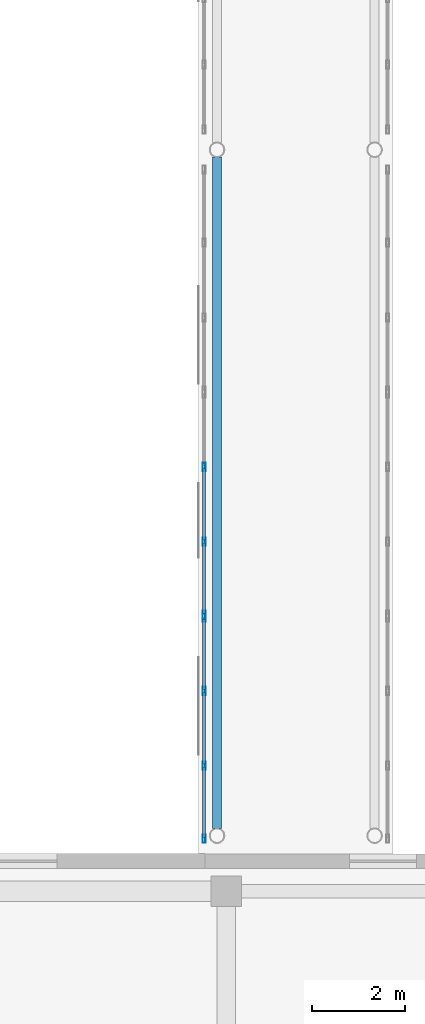
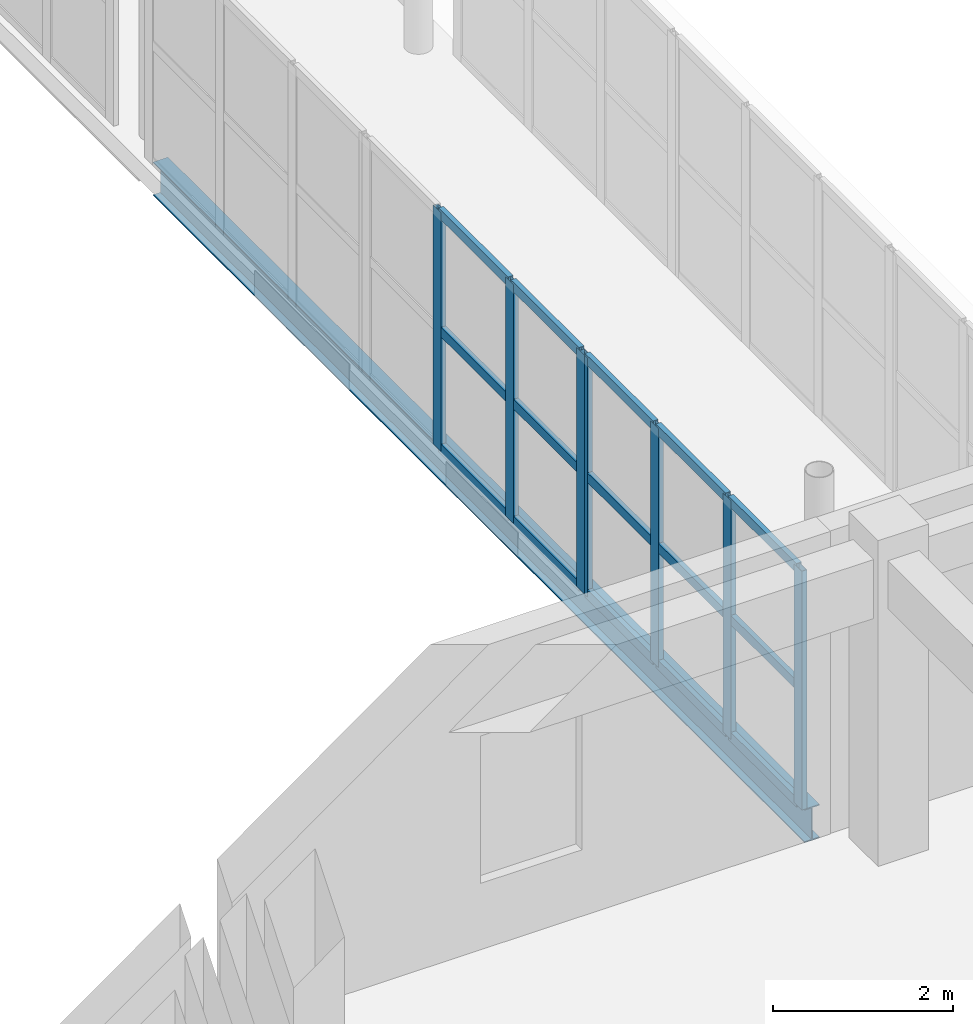
# One storey, part 26 of 142: 22 members, 1 beam, 2 elements without a shape of their own.
"""IFC4 building model written with IfcOpenShell, lengths in metres."""

from ifc_helpers import new_model, si_unit, direction, frame, origin, origin_2d, place, context, subcontext, project, spatial, hollow_rectangle, i_section, extrude, material, layer, layer_set, material_profile, profile_set, type_object, element, aggregate, save


model = new_model("IFC4")

# Units and contexts
model_context = context("Model", 3, precision=1e-05, world=origin(), true_north=direction((0.0, 1.0)))
body_context = subcontext(model_context, "Body", "Model", "MODEL_VIEW")
ifc_project = project(units=[si_unit("LENGTHUNIT", "METRE"), si_unit("AREAUNIT", "SQUARE_METRE"), si_unit("VOLUMEUNIT", "CUBIC_METRE"), si_unit("PLANEANGLEUNIT", "RADIAN"), si_unit("MASSUNIT", "GRAM", prefix="KILO")], contexts=[model_context])

# Site, building, storey
site_placement = place(None, origin())
site = spatial("IfcSite", under=ifc_project, at=site_placement, CompositionType="ELEMENT")
building_placement = place(site_placement, origin())
building = spatial("IfcBuilding", under=site, at=building_placement, Name="Valcora Specialist Clinic", CompositionType="ELEMENT")
storey_placement = place(building_placement, frame((0.0, 0.0, 5.10009765625)))
storey = spatial("IfcBuildingStorey", under=building, at=storey_placement, Name="L01", CompositionType="ELEMENT", Elevation=5.10009765625)

# Beam
ifc_material_1 = material(Name="Steel ASTM A992 Grade 50", Category="steel")
ifc_material_profile_1 = material_profile(ifc_material_1, i_section(OverallWidth=0.18994140625, OverallDepth=0.45703125, WebThickness=0.009033203125, FlangeThickness=0.014892578125, at=origin_2d()), Name="ST-IR-460X190")
ifc_profile_set_1 = profile_set([ifc_material_profile_1], Name="Steel ASTM A992 Grade 50")
beam_type = type_object("IfcBeamType", Name="TY-BG-IR460", PredefinedType="HOLLOWCORE", material=ifc_profile_set_1)
beam_placement = place(storey_placement, frame((61.60009765625, 23.360107421875, -0.482666015625), z_axis=(0.0, 1.0, 0.0), x_axis=(-1.0, 0.0, 0.0)))
element("IfcBeam", 1, at=beam_placement, inside=storey, type_object=beam_type, Name="Bridge girder BM-L01-1618", PredefinedType="HOLLOWCORE", context=body_context, shape_type="SweptSolid", body=[
    extrude(i_section(OverallWidth=0.18994140625, OverallDepth=0.45703125, WebThickness=0.009033203125, FlangeThickness=0.014892578125, at=origin_2d()), origin(), (0.0, 0.0, 1.0), 14.47998046875),
])

# Curtain wall, members
ifc_material_2 = material(Name="Anodized Bronze Aluminium 6063-T6", Category="aluminium")
ifc_layer = layer(ifc_material_2, 0.175048828125)
ifc_layer_set = layer_set([ifc_layer], Name="Anodized Bronze Aluminium 6063-T6")
curtain_wall_type = type_object("IfcCurtainWallType", Name="TY-CW-BRG14", PredefinedType="NOTDEFINED", material=ifc_layer_set)
curtain_wall_1_placement = place(storey_placement, origin())
curtain_wall_1 = element("IfcCurtainWall", 2, at=curtain_wall_1_placement, inside=storey, type_object=curtain_wall_type, Name="Curtain wall CW-L01-231", PredefinedType="NOTDEFINED")
ifc_material_profile_2 = material_profile(ifc_material_2, hollow_rectangle(XDim=0.06494140625, YDim=0.175048828125, WallThickness=0.00390625, at=origin_2d()), Name="AL-MUL-65X175")
ifc_profile_set_2 = profile_set([ifc_material_profile_2], Name="Anodized Bronze Aluminium 6063-T6")
member_type_1 = type_object("IfcMemberType", Name="TY-CWM-65X175", PredefinedType="MULLION", material=ifc_profile_set_2)
member_1_placement = place(storey_placement, frame((61.320068359375, 23.132568359375, 0.0), z_axis=(0.0, 0.0, 1.0), x_axis=(-1.0, 0.0, 0.0)))
member_1 = element("IfcMember", 3, at=member_1_placement, type_object=member_type_1, Name="CW-BRG-14 mullion 1", PredefinedType="MULLION", context=body_context, shape_type="SweptSolid", body=[
    extrude(hollow_rectangle(XDim=0.06494140625, YDim=0.175048828125, WallThickness=0.00390625, at=origin_2d()), origin(), (0.0, 0.0, 1.0), 3.239990234375),
])
member_2_placement = place(storey_placement, frame((61.320068359375, 24.711181640625, 0.0), z_axis=(0.0, 0.0, 1.0), x_axis=(-1.0, 0.0, 0.0)))
member_2 = element("IfcMember", 4, at=member_2_placement, type_object=member_type_1, Name="CW-BRG-14 mullion 2", PredefinedType="MULLION", context=body_context, shape_type="SweptSolid", body=[
    extrude(hollow_rectangle(XDim=0.06494140625, YDim=0.175048828125, WallThickness=0.00390625, at=origin_2d()), origin(), (0.0, 0.0, 1.0), 3.239990234375),
])
member_3_placement = place(storey_placement, frame((61.320068359375, 26.322265625, 0.0), z_axis=(0.0, 0.0, 1.0), x_axis=(-1.0, 0.0, 0.0)))
member_3 = element("IfcMember", 5, at=member_3_placement, type_object=member_type_1, Name="CW-BRG-14 mullion 3", PredefinedType="MULLION", context=body_context, shape_type="SweptSolid", body=[
    extrude(hollow_rectangle(XDim=0.06494140625, YDim=0.175048828125, WallThickness=0.00390625, at=origin_2d()), origin(), (0.0, 0.0, 1.0), 3.239990234375),
])
member_4_placement = place(storey_placement, frame((61.320068359375, 27.90087890625, 0.0), z_axis=(0.0, 0.0, 1.0), x_axis=(-1.0, 0.0, 0.0)))
member_4 = element("IfcMember", 6, at=member_4_placement, type_object=member_type_1, Name="CW-BRG-14 mullion 4", PredefinedType="MULLION", context=body_context, shape_type="SweptSolid", body=[
    extrude(hollow_rectangle(XDim=0.06494140625, YDim=0.175048828125, WallThickness=0.00390625, at=origin_2d()), origin(), (0.0, 0.0, 1.0), 3.239990234375),
])

curtain_wall_2_placement = place(storey_placement, origin())
curtain_wall_2 = element("IfcCurtainWall", 7, at=curtain_wall_2_placement, inside=storey, type_object=curtain_wall_type, Name="Curtain wall CW-L01-232", PredefinedType="NOTDEFINED")
member_5_placement = place(storey_placement, frame((61.320068359375, 27.9658203125, 0.0), z_axis=(0.0, 0.0, 1.0), x_axis=(-1.0, 0.0, 0.0)))
member_5 = element("IfcMember", 8, at=member_5_placement, type_object=member_type_1, Name="CW-BRG-14 mullion 1", PredefinedType="MULLION", context=body_context, shape_type="SweptSolid", body=[
    extrude(hollow_rectangle(XDim=0.06494140625, YDim=0.175048828125, WallThickness=0.00390625, at=origin_2d()), origin(), (0.0, 0.0, 1.0), 3.239990234375),
])
member_6_placement = place(storey_placement, frame((61.320068359375, 29.54443359375, 0.0), z_axis=(0.0, 0.0, 1.0), x_axis=(-1.0, 0.0, 0.0)))
member_6 = element("IfcMember", 9, at=member_6_placement, type_object=member_type_1, Name="CW-BRG-14 mullion 2", PredefinedType="MULLION", context=body_context, shape_type="SweptSolid", body=[
    extrude(hollow_rectangle(XDim=0.06494140625, YDim=0.175048828125, WallThickness=0.00390625, at=origin_2d()), origin(), (0.0, 0.0, 1.0), 3.239990234375),
])
member_7_placement = place(storey_placement, frame((61.320068359375, 31.155517578125, 0.0), z_axis=(0.0, 0.0, 1.0), x_axis=(-1.0, 0.0, 0.0)))
member_7 = element("IfcMember", 10, at=member_7_placement, type_object=member_type_1, Name="CW-BRG-14 mullion 3", PredefinedType="MULLION", context=body_context, shape_type="SweptSolid", body=[
    extrude(hollow_rectangle(XDim=0.06494140625, YDim=0.175048828125, WallThickness=0.00390625, at=origin_2d()), origin(), (0.0, 0.0, 1.0), 3.239990234375),
])

# Member
ifc_material_profile_3 = material_profile(ifc_material_2, hollow_rectangle(XDim=0.06494140625, YDim=0.1298828125, WallThickness=0.00390625, at=origin_2d()), Name="AL-TRN-65X130")
ifc_profile_set_3 = profile_set([ifc_material_profile_3], Name="Anodized Bronze Aluminium 6063-T6")
member_type_2 = type_object("IfcMemberType", Name="TY-CWT-65X130", PredefinedType="USERDEFINED", material=ifc_profile_set_3)
member_8_placement = place(storey_placement, frame((61.320068359375, 23.1650390625, 0.032470703125), z_axis=(0.0, 1.0, 0.0), x_axis=(-1.0, 0.0, 0.0)))
member_8 = element("IfcMember", 11, at=member_8_placement, type_object=member_type_2, Name="CW-BRG-14 transom 1.1", ObjectType="TRANSOM", PredefinedType="USERDEFINED", context=body_context, shape_type="SweptSolid", body=[
    extrude(hollow_rectangle(XDim=0.06494140625, YDim=0.1298828125, WallThickness=0.00390625, at=origin_2d()), origin(), (0.0, 0.0, 1.0), 1.513671875),
])

member_9_placement = place(storey_placement, frame((61.320068359375, 23.1650390625, 1.619873046875), z_axis=(0.0, 1.0, 0.0), x_axis=(-1.0, 0.0, 0.0)))
member_9 = element("IfcMember", 12, at=member_9_placement, type_object=member_type_2, Name="CW-BRG-14 transom 1.2", ObjectType="TRANSOM", PredefinedType="USERDEFINED", context=body_context, shape_type="SweptSolid", body=[
    extrude(hollow_rectangle(XDim=0.06494140625, YDim=0.1298828125, WallThickness=0.00390625, at=origin_2d()), origin(), (0.0, 0.0, 1.0), 1.513671875),
])

member_10_placement = place(storey_placement, frame((61.320068359375, 23.1650390625, 3.20751953125), z_axis=(0.0, 1.0, 0.0), x_axis=(-1.0, 0.0, 0.0)))
member_10 = element("IfcMember", 13, at=member_10_placement, type_object=member_type_2, Name="CW-BRG-14 transom 1.3", ObjectType="TRANSOM", PredefinedType="USERDEFINED", context=body_context, shape_type="SweptSolid", body=[
    extrude(hollow_rectangle(XDim=0.06494140625, YDim=0.1298828125, WallThickness=0.00390625, at=origin_2d()), origin(), (0.0, 0.0, 1.0), 1.513671875),
])

member_11_placement = place(storey_placement, frame((61.320068359375, 24.74365234375, 0.032470703125), z_axis=(0.0, 1.0, 0.0), x_axis=(-1.0, 0.0, 0.0)))
member_11 = element("IfcMember", 14, at=member_11_placement, type_object=member_type_2, Name="CW-BRG-14 transom 2.1", ObjectType="TRANSOM", PredefinedType="USERDEFINED", context=body_context, shape_type="SweptSolid", body=[
    extrude(hollow_rectangle(XDim=0.06494140625, YDim=0.1298828125, WallThickness=0.00390625, at=origin_2d()), origin(), (0.0, 0.0, 1.0), 1.546142578125),
])

member_12_placement = place(storey_placement, frame((61.320068359375, 24.74365234375, 1.619873046875), z_axis=(0.0, 1.0, 0.0), x_axis=(-1.0, 0.0, 0.0)))
member_12 = element("IfcMember", 15, at=member_12_placement, type_object=member_type_2, Name="CW-BRG-14 transom 2.2", ObjectType="TRANSOM", PredefinedType="USERDEFINED", context=body_context, shape_type="SweptSolid", body=[
    extrude(hollow_rectangle(XDim=0.06494140625, YDim=0.1298828125, WallThickness=0.00390625, at=origin_2d()), origin(), (0.0, 0.0, 1.0), 1.546142578125),
])

member_13_placement = place(storey_placement, frame((61.320068359375, 24.74365234375, 3.20751953125), z_axis=(0.0, 1.0, 0.0), x_axis=(-1.0, 0.0, 0.0)))
member_13 = element("IfcMember", 16, at=member_13_placement, type_object=member_type_2, Name="CW-BRG-14 transom 2.3", ObjectType="TRANSOM", PredefinedType="USERDEFINED", context=body_context, shape_type="SweptSolid", body=[
    extrude(hollow_rectangle(XDim=0.06494140625, YDim=0.1298828125, WallThickness=0.00390625, at=origin_2d()), origin(), (0.0, 0.0, 1.0), 1.546142578125),
])

member_14_placement = place(storey_placement, frame((61.320068359375, 26.354736328125, 0.032470703125), z_axis=(0.0, 1.0, 0.0), x_axis=(-1.0, 0.0, 0.0)))
member_14 = element("IfcMember", 17, at=member_14_placement, type_object=member_type_2, Name="CW-BRG-14 transom 3.1", ObjectType="TRANSOM", PredefinedType="USERDEFINED", context=body_context, shape_type="SweptSolid", body=[
    extrude(hollow_rectangle(XDim=0.06494140625, YDim=0.1298828125, WallThickness=0.00390625, at=origin_2d()), origin(), (0.0, 0.0, 1.0), 1.513671875),
])

member_15_placement = place(storey_placement, frame((61.320068359375, 26.354736328125, 1.619873046875), z_axis=(0.0, 1.0, 0.0), x_axis=(-1.0, 0.0, 0.0)))
member_15 = element("IfcMember", 18, at=member_15_placement, type_object=member_type_2, Name="CW-BRG-14 transom 3.2", ObjectType="TRANSOM", PredefinedType="USERDEFINED", context=body_context, shape_type="SweptSolid", body=[
    extrude(hollow_rectangle(XDim=0.06494140625, YDim=0.1298828125, WallThickness=0.00390625, at=origin_2d()), origin(), (0.0, 0.0, 1.0), 1.513671875),
])

member_16_placement = place(storey_placement, frame((61.320068359375, 26.354736328125, 3.20751953125), z_axis=(0.0, 1.0, 0.0), x_axis=(-1.0, 0.0, 0.0)))
member_16 = element("IfcMember", 19, at=member_16_placement, type_object=member_type_2, Name="CW-BRG-14 transom 3.3", ObjectType="TRANSOM", PredefinedType="USERDEFINED", context=body_context, shape_type="SweptSolid", body=[
    extrude(hollow_rectangle(XDim=0.06494140625, YDim=0.1298828125, WallThickness=0.00390625, at=origin_2d()), origin(), (0.0, 0.0, 1.0), 1.513671875),
])

aggregate(curtain_wall_1, [member_1, member_2, member_3, member_4, member_8, member_9, member_10, member_11, member_12, member_13, member_14, member_15, member_16])

member_17_placement = place(storey_placement, frame((61.320068359375, 27.998291015625, 0.032470703125), z_axis=(0.0, 1.0, 0.0), x_axis=(-1.0, 0.0, 0.0)))
member_17 = element("IfcMember", 20, at=member_17_placement, type_object=member_type_2, Name="CW-BRG-14 transom 1.1", ObjectType="TRANSOM", PredefinedType="USERDEFINED", context=body_context, shape_type="SweptSolid", body=[
    extrude(hollow_rectangle(XDim=0.06494140625, YDim=0.1298828125, WallThickness=0.00390625, at=origin_2d()), origin(), (0.0, 0.0, 1.0), 1.513671875),
])

member_18_placement = place(storey_placement, frame((61.320068359375, 27.998291015625, 1.619873046875), z_axis=(0.0, 1.0, 0.0), x_axis=(-1.0, 0.0, 0.0)))
member_18 = element("IfcMember", 21, at=member_18_placement, type_object=member_type_2, Name="CW-BRG-14 transom 1.2", ObjectType="TRANSOM", PredefinedType="USERDEFINED", context=body_context, shape_type="SweptSolid", body=[
    extrude(hollow_rectangle(XDim=0.06494140625, YDim=0.1298828125, WallThickness=0.00390625, at=origin_2d()), origin(), (0.0, 0.0, 1.0), 1.513671875),
])

member_19_placement = place(storey_placement, frame((61.320068359375, 27.998291015625, 3.20751953125), z_axis=(0.0, 1.0, 0.0), x_axis=(-1.0, 0.0, 0.0)))
member_19 = element("IfcMember", 22, at=member_19_placement, type_object=member_type_2, Name="CW-BRG-14 transom 1.3", ObjectType="TRANSOM", PredefinedType="USERDEFINED", context=body_context, shape_type="SweptSolid", body=[
    extrude(hollow_rectangle(XDim=0.06494140625, YDim=0.1298828125, WallThickness=0.00390625, at=origin_2d()), origin(), (0.0, 0.0, 1.0), 1.513671875),
])

member_20_placement = place(storey_placement, frame((61.320068359375, 29.576904296875, 0.032470703125), z_axis=(0.0, 1.0, 0.0), x_axis=(-1.0, 0.0, 0.0)))
member_20 = element("IfcMember", 23, at=member_20_placement, type_object=member_type_2, Name="CW-BRG-14 transom 2.1", ObjectType="TRANSOM", PredefinedType="USERDEFINED", context=body_context, shape_type="SweptSolid", body=[
    extrude(hollow_rectangle(XDim=0.06494140625, YDim=0.1298828125, WallThickness=0.00390625, at=origin_2d()), origin(), (0.0, 0.0, 1.0), 1.546142578125),
])

member_21_placement = place(storey_placement, frame((61.320068359375, 29.576904296875, 1.619873046875), z_axis=(0.0, 1.0, 0.0), x_axis=(-1.0, 0.0, 0.0)))
member_21 = element("IfcMember", 24, at=member_21_placement, type_object=member_type_2, Name="CW-BRG-14 transom 2.2", ObjectType="TRANSOM", PredefinedType="USERDEFINED", context=body_context, shape_type="SweptSolid", body=[
    extrude(hollow_rectangle(XDim=0.06494140625, YDim=0.1298828125, WallThickness=0.00390625, at=origin_2d()), origin(), (0.0, 0.0, 1.0), 1.546142578125),
])

member_22_placement = place(storey_placement, frame((61.320068359375, 29.576904296875, 3.20751953125), z_axis=(0.0, 1.0, 0.0), x_axis=(-1.0, 0.0, 0.0)))
member_22 = element("IfcMember", 25, at=member_22_placement, type_object=member_type_2, Name="CW-BRG-14 transom 2.3", ObjectType="TRANSOM", PredefinedType="USERDEFINED", context=body_context, shape_type="SweptSolid", body=[
    extrude(hollow_rectangle(XDim=0.06494140625, YDim=0.1298828125, WallThickness=0.00390625, at=origin_2d()), origin(), (0.0, 0.0, 1.0), 1.546142578125),
])

aggregate(curtain_wall_2, [member_5, member_6, member_7, member_17, member_18, member_19, member_20, member_21, member_22])

save(model, "model.ifc")
